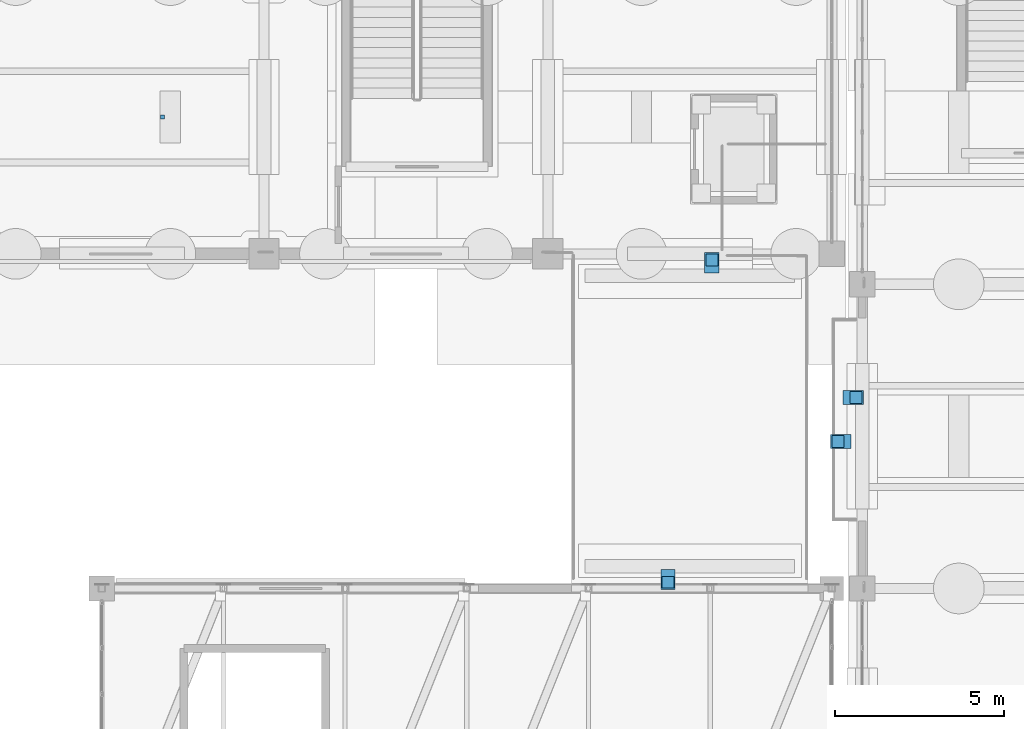
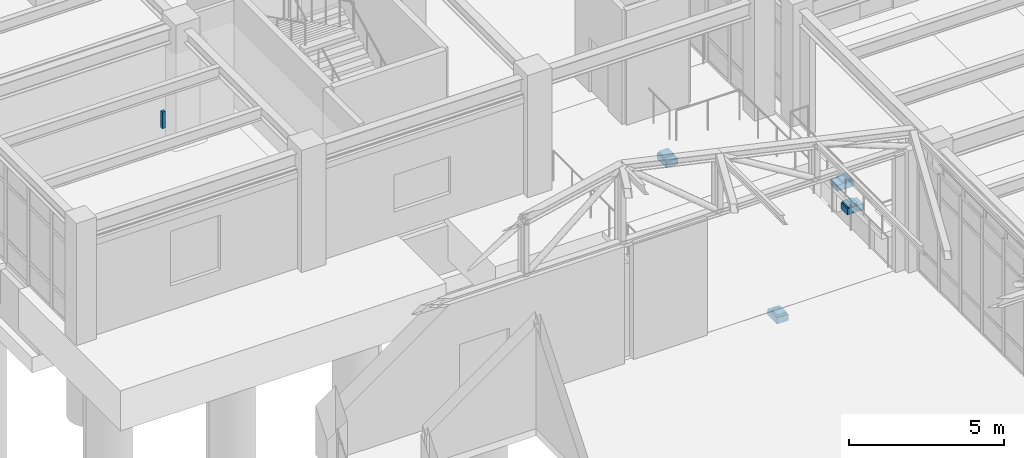
# One storey, part 120 of 139: 9 discrete accessories.
"""IFC4 building model written with IfcOpenShell, lengths in metres."""

import ifcopenshell
import ifcopenshell.guid

model = None  # the IFC model being written
_history = None  # IfcOwnerHistory: only IFC2X3 demands one
_inside = {}  # id of a spatial element -> (the spatial element, [elements in it])
_under = {}  # id of a project, library or spatial element -> (it, [spatial elements below it])
_declared = {}  # id of a project -> (the project, [libraries it declares])
_typed = {}  # id of a type object -> (the type object, [elements of that type])
_made_of = {}  # id of a material, layer set ... -> (it, [elements and type objects made of it])


def new_model(schema):
    """Start an empty IFC model of exactly this schema.

    Asked for "IFC4X3", IfcOpenShell would pick the latest addendum, in which some entities
    have other attributes; the version numbers below select the first issue.
    IFC2X3 requires an IfcOwnerHistory on every rooted entity: one is made here for all.
    """
    global model, _history
    if schema == "IFC4X3":
        model = ifcopenshell.file(schema_version=(4, 3, 0, 0))
    else:
        model = ifcopenshell.file(schema=schema)
    _inside.clear()
    _under.clear()
    _declared.clear()
    _typed.clear()
    _made_of.clear()
    _history = None
    if model.schema == "IFC2X3":
        org = make("IfcOrganization", Name="unknown")
        user = make(
            "IfcPersonAndOrganization",
            ThePerson=make("IfcPerson", FamilyName="unknown"),
            TheOrganization=org,
        )
        app = make(
            "IfcApplication",
            ApplicationDeveloper=org,
            Version="unknown",
            ApplicationFullName="unknown",
            ApplicationIdentifier="unknown",
        )
        _history = make(
            "IfcOwnerHistory",
            OwningUser=user,
            OwningApplication=app,
            ChangeAction="ADDED",
            CreationDate=0,
        )
    return model


def make(cls, **values):
    """One entity of the class cls with the attributes given. An attribute that is None is left unset."""
    return model.create_entity(
        cls, **{name: value for name, value in values.items() if value is not None}
    )


def rooted(cls, **values):
    """An entity with a GlobalId (a new one), such as an element, a storey or a relation."""
    return make(cls, GlobalId=ifcopenshell.guid.new(), OwnerHistory=_history, **values)


def si_unit(unit_type, name, prefix=None):
    """IfcSIUnit, for example si_unit("LENGTHUNIT", "METRE", prefix="MILLI")."""
    return make("IfcSIUnit", UnitType=unit_type, Prefix=prefix, Name=name)


def assignment(units):
    """IfcUnitAssignment: the units of a project."""
    return None if units is None else make("IfcUnitAssignment", Units=units)


def point(xyz):
    """IfcCartesianPoint."""
    return None if xyz is None else make("IfcCartesianPoint", Coordinates=xyz)


def direction(xyz):
    """IfcDirection."""
    return None if xyz is None else make("IfcDirection", DirectionRatios=xyz)


def frame(location, z_axis=None, x_axis=None):
    """IfcAxis2Placement3D, a coordinate frame: its origin and axes. An axis left out is left unset."""
    return make(
        "IfcAxis2Placement3D",
        Location=point(location),
        Axis=direction(z_axis),
        RefDirection=direction(x_axis),
    )


def frame_2d(location, x_axis=None):
    """IfcAxis2Placement2D, a coordinate frame in the plane: its origin and x axis."""
    return make(
        "IfcAxis2Placement2D", Location=point(location), RefDirection=direction(x_axis)
    )


def origin():
    """The frame at (0, 0, 0) with its axes left unset."""
    return frame((0.0, 0.0, 0.0))


def origin_2d():
    """The frame at (0, 0) in the plane with its x axis left unset."""
    return frame_2d((0.0, 0.0))


def place(relative_to, where):
    """IfcLocalPlacement: puts the frame where relative to a parent placement (None: the world)."""
    return make(
        "IfcLocalPlacement", PlacementRelTo=relative_to, RelativePlacement=where
    )


def context(
    kind, dimensions, precision=None, world=None, true_north=None, identifier=None
):
    """IfcGeometricRepresentationContext, for example the 3D "Model" context."""
    return make(
        "IfcGeometricRepresentationContext",
        ContextIdentifier=identifier,
        ContextType=kind,
        CoordinateSpaceDimension=dimensions,
        Precision=precision,
        WorldCoordinateSystem=world,
        TrueNorth=true_north,
    )


def subcontext(parent, identifier, kind, view, scale=None):
    """IfcGeometricRepresentationSubContext, for example "Body" below "Model"."""
    return make(
        "IfcGeometricRepresentationSubContext",
        ContextIdentifier=identifier,
        ContextType=kind,
        ParentContext=parent,
        TargetScale=scale,
        TargetView=view,
    )


def project(units=None, contexts=None):
    """IfcProject with its units and contexts."""
    return rooted(
        "IfcProject",
        Name="project",
        RepresentationContexts=contexts,
        UnitsInContext=assignment(units),
    )


def spatial(cls, under=None, at=None, **own):
    """A site, building, storey or space (cls), placed at a placement, below another one or the project."""
    s = rooted(cls, ObjectPlacement=at, **own)
    if under is not None:
        _under.setdefault(under.id(), (under, []))[1].append(s)
    return s


def profile(cls, at=None, kind="AREA", **sizes):
    """A parametric profile (cls). Its sizes go by their IFC names, for example OverallWidth=200.0."""
    return make(cls, ProfileType=kind, Position=at, **sizes)


def rectangle(**sizes):
    """IfcRectangleProfileDef."""
    return profile("IfcRectangleProfileDef", **sizes)


def extrude(swept, where, along, depth):
    """IfcExtrudedAreaSolid: the profile swept, set in the frame where, extruded along a direction by depth."""
    return make(
        "IfcExtrudedAreaSolid",
        SweptArea=swept,
        Position=where,
        ExtrudedDirection=direction(along),
        Depth=depth,
    )


def shape(context_of_items, identifier, shape_type, items):
    """IfcShapeRepresentation: the items that make up one representation, for example the "Body"."""
    return make(
        "IfcShapeRepresentation",
        ContextOfItems=context_of_items,
        RepresentationIdentifier=identifier,
        RepresentationType=shape_type,
        Items=items,
    )


def material(Name=None, Category=None):
    """IfcMaterial."""
    return make("IfcMaterial", Name=Name, Category=Category)


def layer(
    of_material, thickness, ventilated=None, Name=None, Category=None, Priority=None
):
    """IfcMaterialLayer: one layer of a wall or slab, of a material (None: an air gap)."""
    return make(
        "IfcMaterialLayer",
        Material=of_material,
        LayerThickness=thickness,
        IsVentilated=ventilated,
        Name=Name,
        Category=Category,
        Priority=Priority,
    )


def layer_set(layers, Name=None):
    """IfcMaterialLayerSet."""
    return make("IfcMaterialLayerSet", MaterialLayers=layers, LayerSetName=Name)


def made_of(thing, what):
    """Note that an element or type object is made of a material, layer set ...; save() writes the relation."""
    if what is not None:
        _made_of.setdefault(what.id(), (what, []))[1].append(thing)
    return thing


def type_object(cls, material=None, **own):
    """A type object (cls), such as IfcWallType, which elements share."""
    return made_of(rooted(cls, **own), material)


def element(
    cls,
    number,
    at=None,
    inside=None,
    cuts=None,
    type_object=None,
    material=None,
    context=None,
    identifier="Body",
    shape_type=None,
    held_by="IfcProductDefinitionShape",
    body=None,
    shapes=None,
    **own,
):
    """One element of the class cls, such as IfcWall. Its Tag is "e" and its number.

    at: its placement. inside: the storey or other place that contains it. cuts: it is an
    opening in that element (IfcRelVoidsElement). A single representation is given by context,
    identifier, shape_type and body (its items); several are given by shapes. held_by: the class
    of the entity that holds the representations. save() writes the other relations.
    """
    e = rooted(cls, Tag="e%d" % number, ObjectPlacement=at, **own)
    if body is not None:
        shapes = [shape(context, identifier, shape_type, body)]
    if shapes is not None:
        e.Representation = make(held_by, Representations=shapes)
    if inside is not None:
        _inside.setdefault(inside.id(), (inside, []))[1].append(e)
    if cuts is not None:
        rooted(
            "IfcRelVoidsElement", RelatingBuildingElement=cuts, RelatedOpeningElement=e
        )
    if type_object is not None:
        _typed.setdefault(type_object.id(), (type_object, []))[1].append(e)
    return made_of(e, material)


def aggregate(whole, parts):
    """IfcRelAggregates: a whole, such as a stair, and the parts it consists of."""
    return rooted("IfcRelAggregates", RelatingObject=whole, RelatedObjects=parts)


def save(model, path):
    """Write the relations noted so far, then the file.

    IfcRelAggregates (storeys below a building ...), IfcRelContainedInSpatialStructure (elements
    in a storey), IfcRelDefinesByType, IfcRelAssociatesMaterial and IfcRelDeclares: one each for
    every whole, place, type object, material and project.
    """
    for whole, parts in _under.values():
        aggregate(whole, parts)
    for where, things in _inside.values():
        rooted(
            "IfcRelContainedInSpatialStructure",
            RelatedElements=things,
            RelatingStructure=where,
        )
    for kind, things in _typed.values():
        rooted("IfcRelDefinesByType", RelatedObjects=things, RelatingType=kind)
    for what, things in _made_of.values():
        rooted("IfcRelAssociatesMaterial", RelatedObjects=things, RelatingMaterial=what)
    for by, libraries in _declared.values():
        rooted("IfcRelDeclares", RelatingContext=by, RelatedDefinitions=libraries)
    model.write(path)


model = new_model("IFC4")

# Units and contexts
model_context = context("Model", 3, precision=1e-05, world=origin(), true_north=direction((0.0, 1.0)))
body_context = subcontext(model_context, "Body", "Model", "MODEL_VIEW")
ifc_project = project(units=[si_unit("LENGTHUNIT", "METRE"), si_unit("AREAUNIT", "SQUARE_METRE"), si_unit("VOLUMEUNIT", "CUBIC_METRE"), si_unit("PLANEANGLEUNIT", "RADIAN"), si_unit("MASSUNIT", "GRAM", prefix="KILO")], contexts=[model_context])

# Site, building, storey
site_placement = place(None, origin())
site = spatial("IfcSite", under=ifc_project, at=site_placement, CompositionType="ELEMENT")
building_placement = place(site_placement, origin())
building = spatial("IfcBuilding", under=site, at=building_placement, Name="Canglan Escarpment Cableway Terminal", CompositionType="ELEMENT")
storey_placement = place(building_placement, frame((0.0, 0.0, 14.39990234375)))
storey = spatial("IfcBuildingStorey", under=building, at=storey_placement, Name="L03", CompositionType="ELEMENT", Elevation=14.39990234375)

# Discrete accessories
ifc_material_1 = material(Name="Steel Q355B", Category="steel")
ifc_layer_1 = layer(ifc_material_1, 0.159912109375, Name="Steel Q355B")
ifc_layer_set_1 = layer_set([ifc_layer_1], Name="Steel Q355B")
discrete_accessory_type_1 = type_object("IfcDiscreteAccessoryType", Name="ACC-BRACKET-01", PredefinedType="BRACKET", material=ifc_layer_set_1)
discrete_accessory_placement = place(storey_placement, frame((116.89990234375, 92.949951171875, 3.8662109375), z_axis=(0.0, 0.0, 1.0), x_axis=(1.0, 0.0, 0.0)))
element("IfcDiscreteAccessory", 1, at=discrete_accessory_placement, inside=storey, type_object=discrete_accessory_type_1, Name="Suspended ceiling hanger bracket BK-01", PredefinedType="BRACKET", context=body_context, shape_type="SweptSolid", body=[
    extrude(rectangle(XDim=0.1201171875, YDim=0.1201171875, at=origin_2d()), origin(), (0.0, 0.0, 1.0), 0.654052734375),
])
ifc_material_2 = material(Name="Concrete C40", Category="concrete")
ifc_layer_2 = layer(ifc_material_2, 0.239990234375, Name="Concrete C40")
ifc_layer_set_2 = layer_set([ifc_layer_2], Name="Concrete C40")
discrete_accessory_type_2 = type_object("IfcDiscreteAccessoryType", Name="ACC-CORBEL-CB01", PredefinedType="BRACKET", material=ifc_layer_set_2)
for number, where, z_axis, x_axis, name in (
    (2, (136.9599609375, 83.35009765625, -0.5400390625), (0.0, 0.0, 1.0), (1.0, 0.0, 0.0), "Concrete C40 movement-joint corbel bearing ledge CB-01"),
    (3, (137.3349609375, 84.64990234375, -0.5400390625), (0.0, 0.0, 1.0), (1.0, 0.0, 0.0), "Concrete C40 movement-joint corbel bearing ledge CB-01"),
):
    element("IfcDiscreteAccessory", number, at=place(storey_placement, frame(where, z_axis=z_axis, x_axis=x_axis)), inside=storey, type_object=discrete_accessory_type_2, Name=name, PredefinedType="BRACKET", context=body_context, shape_type="SweptSolid", body=[
        extrude(rectangle(XDim=0.60009765625, YDim=0.419921875, at=origin_2d()), origin(), (0.0, 0.0, 1.0), 0.239990234375),
    ])
for number, where, z_axis, x_axis, name in (
    (4, (131.85009765625, 79.264892578125, -0.5400390625), (0.0, 0.0, 1.0), (1.0, 0.0, 0.0), "Concrete C40 movement-joint corbel bearing ledge CB-01"),
    (5, (133.14990234375, 88.635009765625, -0.5400390625), (0.0, 0.0, 1.0), (1.0, 0.0, 0.0), "Concrete C40 movement-joint corbel bearing ledge CB-01"),
):
    element("IfcDiscreteAccessory", number, at=place(storey_placement, frame(where, z_axis=z_axis, x_axis=x_axis)), inside=storey, type_object=discrete_accessory_type_2, Name=name, PredefinedType="BRACKET", context=body_context, shape_type="SweptSolid", body=[
        extrude(rectangle(XDim=0.419921875, YDim=0.60009765625, at=origin_2d()), origin(), (0.0, 0.0, 1.0), 0.239990234375),
    ])
ifc_material_3 = material(Name="Stainless steel and PTFE elastomer", Category="steel")
ifc_layer_3 = layer(ifc_material_3, 0.080078125, Name="Stainless steel and PTFE elastomer")
ifc_layer_set_3 = layer_set([ifc_layer_3], Name="Stainless steel and PTFE elastomer")
discrete_accessory_type_3 = type_object("IfcDiscreteAccessoryType", Name="BRG-SLIDING-MJ01", PredefinedType="USERDEFINED", material=ifc_layer_set_3)
for number, where, z_axis, x_axis, name in (
    (6, (136.8798828125, 83.35009765625, -0.300048828125), (0.0, 0.0, 1.0), (1.0, 0.0, 0.0), "Unguided PTFE-elastomeric sliding bearing pad MJ-01"),
    (7, (137.4150390625, 84.64990234375, -0.300048828125), (0.0, 0.0, 1.0), (1.0, 0.0, 0.0), "Unguided PTFE-elastomeric sliding bearing pad MJ-01"),
    (8, (131.85009765625, 79.18505859375, -0.300048828125), (0.0, 0.0, 1.0), (1.0, 0.0, 0.0), "Unguided PTFE-elastomeric sliding bearing pad MJ-01"),
    (9, (133.14990234375, 88.715087890625, -0.300048828125), (0.0, 0.0, 1.0), (1.0, 0.0, 0.0), "Unguided PTFE-elastomeric sliding bearing pad MJ-01"),
):
    element("IfcDiscreteAccessory", number, at=place(storey_placement, frame(where, z_axis=z_axis, x_axis=x_axis)), inside=storey, type_object=discrete_accessory_type_3, Name=name, ObjectType="SLIDING BEARING", PredefinedType="USERDEFINED", context=body_context, shape_type="SweptSolid", body=[
        extrude(rectangle(XDim=0.35009765625, YDim=0.35009765625, at=origin_2d()), origin(), (0.0, 0.0, 1.0), 0.080078125),
    ])

save(model, "model.ifc")
